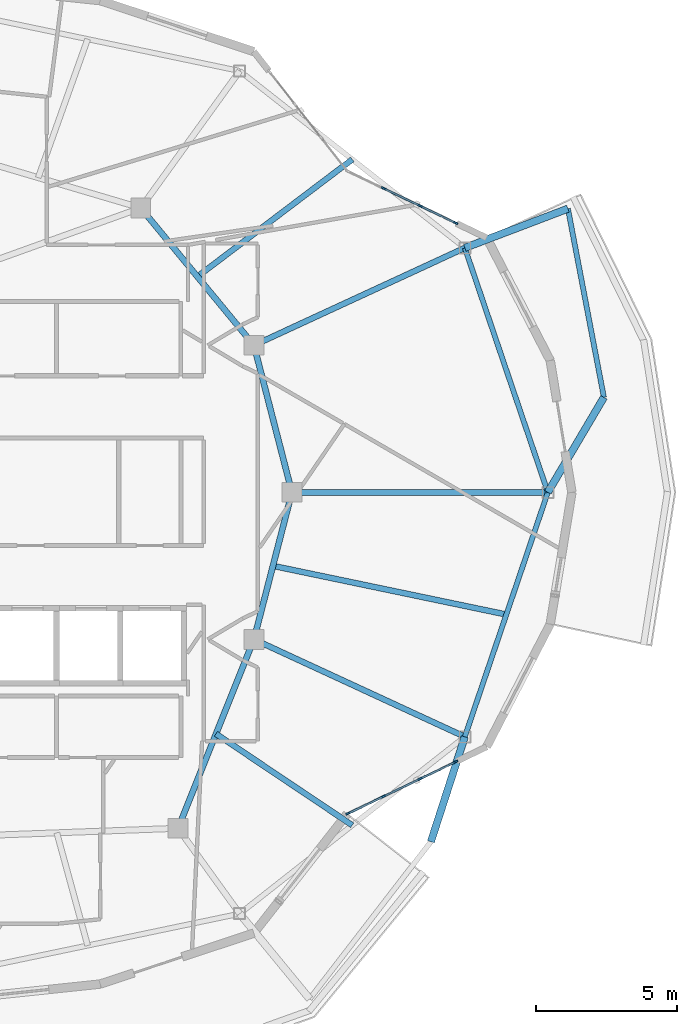
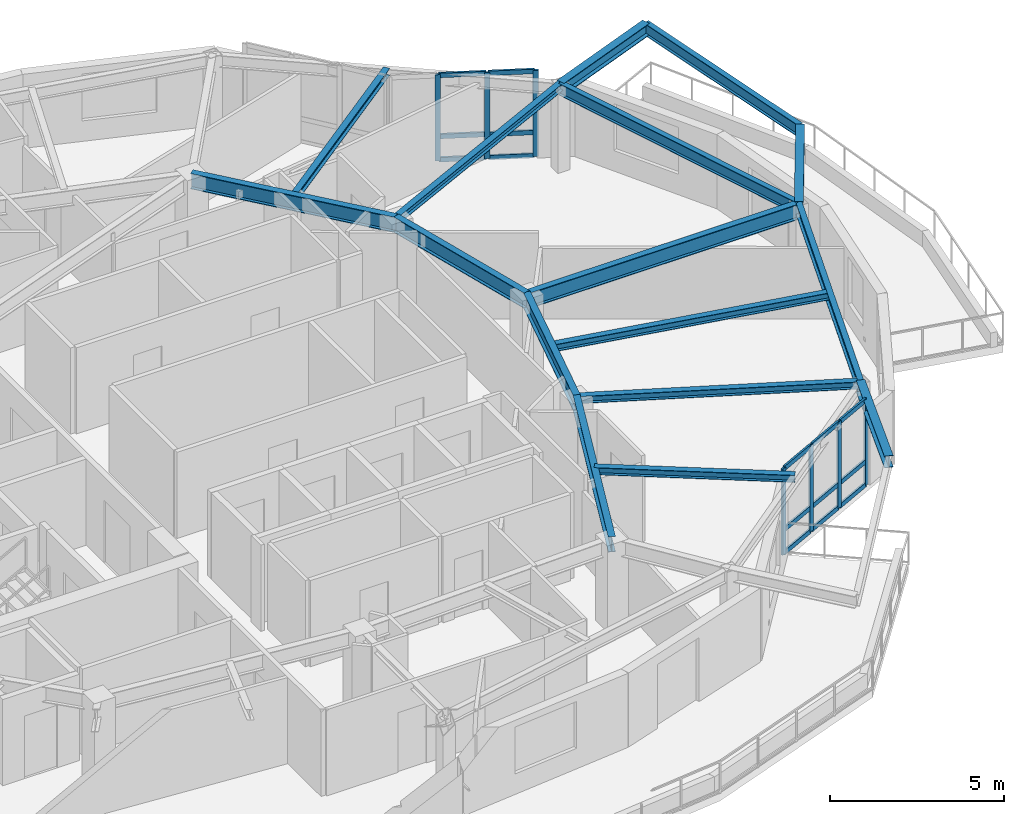
# One storey, part 3 of 14: 22 members, 16 beams, 2 elements without a shape of their own.
"""IFC4 building model written with IfcOpenShell, lengths in metres."""

from ifc_helpers import new_model, si_unit, direction, frame, origin, origin_2d, place, context, subcontext, project, spatial, rectangle, i_section, extrude, material, layer, layer_set, material_profile, profile_set, type_object, element, aggregate, save


model = new_model("IFC4")

# Units and contexts
model_context = context("Model", 3, precision=1e-05, world=origin(), true_north=direction((0.0, 1.0)))
body_context = subcontext(model_context, "Body", "Model", "MODEL_VIEW")
ifc_project = project(units=[si_unit("LENGTHUNIT", "METRE"), si_unit("AREAUNIT", "SQUARE_METRE"), si_unit("VOLUMEUNIT", "CUBIC_METRE"), si_unit("PLANEANGLEUNIT", "RADIAN"), si_unit("MASSUNIT", "GRAM", prefix="KILO")], contexts=[model_context])

# Site, building, storey
site_placement = place(None, origin())
site = spatial("IfcSite", under=ifc_project, at=site_placement, CompositionType="ELEMENT")
building_placement = place(site_placement, origin())
building = spatial("IfcBuilding", under=site, at=building_placement, Name="Kolvaren Gate Tower and Convention Centre", CompositionType="ELEMENT")
storey_placement = place(building_placement, frame((0.0, 0.0, 239.300048828125)))
storey = spatial("IfcBuildingStorey", under=building, at=storey_placement, Name="L64", CompositionType="ELEMENT", Elevation=239.300048828125)

# Curtain wall, members
ifc_material_1 = material(Name="Anodized Architectural Aluminium Alloy 6063-T6", Category="aluminium")
ifc_layer = layer(ifc_material_1, 0.159912109375)
ifc_layer_set = layer_set([ifc_layer], Name="Anodized Architectural Aluminium Alloy 6063-T6")
curtain_wall_type = type_object("IfcCurtainWallType", Name="CW-RES-UNIT", PredefinedType="NOTDEFINED", material=ifc_layer_set)
curtain_wall_1_placement = place(storey_placement, origin())
curtain_wall_1 = element("IfcCurtainWall", 1, at=curtain_wall_1_placement, inside=storey, type_object=curtain_wall_type, Name="Tower L64 Unitised Curtain Wall CW-RES-UNIT Bay 02", PredefinedType="NOTDEFINED")
ifc_material_profile_1 = material_profile(ifc_material_1, rectangle(XDim=0.06494140625, YDim=0.159912109375, at=origin_2d()), Name="CW-MEM-MUL-160")
ifc_profile_set_1 = profile_set([ifc_material_profile_1], Name="Anodized Architectural Aluminium Alloy 6063-T6")
member_type_1 = type_object("IfcMemberType", Name="CW-MEM-MUL-160", PredefinedType="MULLION", material=ifc_profile_set_1)
member_1_placement = place(storey_placement, frame((45.966796875, 37.750732421875, 0.0), z_axis=(0.0, 0.0, 1.0), x_axis=(0.4330855213, 0.901352833934, 0.0)))
member_1 = element("IfcMember", 2, at=member_1_placement, type_object=member_type_1, Name="CW-04 mullion 2", PredefinedType="MULLION", context=body_context, shape_type="SweptSolid", body=[
    extrude(rectangle(XDim=0.06494140625, YDim=0.159912109375, at=origin_2d()), origin(), (0.0, 0.0, 1.0), 3.030029296875),
])
member_2_placement = place(storey_placement, frame((47.25634765625, 37.131103515625, 0.0), z_axis=(0.0, 0.0, 1.0), x_axis=(0.4330855213, 0.901352833934, 0.0)))
member_2 = element("IfcMember", 3, at=member_2_placement, type_object=member_type_1, Name="CW-04 mullion 3", PredefinedType="MULLION", context=body_context, shape_type="SweptSolid", body=[
    extrude(rectangle(XDim=0.06494140625, YDim=0.159912109375, at=origin_2d()), origin(), (0.0, 0.0, 1.0), 3.030029296875),
])
member_3_placement = place(storey_placement, frame((48.5166015625, 36.525634765625, 0.0), z_axis=(0.0, 0.0, 1.0), x_axis=(0.4330855213, 0.901352833934, 0.0)))
member_3 = element("IfcMember", 4, at=member_3_placement, type_object=member_type_1, Name="CW-04 mullion 4", PredefinedType="MULLION", context=body_context, shape_type="SweptSolid", body=[
    extrude(rectangle(XDim=0.06494140625, YDim=0.159912109375, at=origin_2d()), origin(), (0.0, 0.0, 1.0), 3.030029296875),
])

curtain_wall_2_placement = place(storey_placement, origin())
curtain_wall_2 = element("IfcCurtainWall", 5, at=curtain_wall_2_placement, inside=storey, type_object=curtain_wall_type, Name="Tower L64 Unitised Curtain Wall CW-RES-UNIT Bay 21", PredefinedType="NOTDEFINED")
member_4_placement = place(storey_placement, frame((44.70654296875, 15.643798828125, 0.0), z_axis=(0.0, 0.0, 1.0), x_axis=(-0.4330855213, 0.901352833934, 0.0)))
member_4 = element("IfcMember", 6, at=member_4_placement, type_object=member_type_1, Name="CW-04 mullion 1", PredefinedType="MULLION", context=body_context, shape_type="SweptSolid", body=[
    extrude(rectangle(XDim=0.06494140625, YDim=0.159912109375, at=origin_2d()), origin(), (0.0, 0.0, 1.0), 3.030029296875),
])
member_5_placement = place(storey_placement, frame((45.966796875, 16.249267578125, 0.0), z_axis=(0.0, 0.0, 1.0), x_axis=(-0.4330855213, 0.901352833934, 0.0)))
member_5 = element("IfcMember", 7, at=member_5_placement, type_object=member_type_1, Name="CW-04 mullion 2", PredefinedType="MULLION", context=body_context, shape_type="SweptSolid", body=[
    extrude(rectangle(XDim=0.06494140625, YDim=0.159912109375, at=origin_2d()), origin(), (0.0, 0.0, 1.0), 3.030029296875),
])
member_6_placement = place(storey_placement, frame((47.25634765625, 16.868896484375, 0.0), z_axis=(0.0, 0.0, 1.0), x_axis=(-0.4330855213, 0.901352833934, 0.0)))
member_6 = element("IfcMember", 8, at=member_6_placement, type_object=member_type_1, Name="CW-04 mullion 3", PredefinedType="MULLION", context=body_context, shape_type="SweptSolid", body=[
    extrude(rectangle(XDim=0.06494140625, YDim=0.159912109375, at=origin_2d()), origin(), (0.0, 0.0, 1.0), 3.030029296875),
])
member_7_placement = place(storey_placement, frame((48.5166015625, 17.474365234375, 0.0), z_axis=(0.0, 0.0, 1.0), x_axis=(-0.4330855213, 0.901352833934, 0.0)))
member_7 = element("IfcMember", 9, at=member_7_placement, type_object=member_type_1, Name="CW-04 mullion 4", PredefinedType="MULLION", context=body_context, shape_type="SweptSolid", body=[
    extrude(rectangle(XDim=0.06494140625, YDim=0.159912109375, at=origin_2d()), origin(), (0.0, 0.0, 1.0), 3.030029296875),
])

# Member
ifc_material_profile_2 = material_profile(ifc_material_1, rectangle(XDim=0.06494140625, YDim=0.159912109375, at=origin_2d()), Name="CW-MEM-TRN-160")
ifc_profile_set_2 = profile_set([ifc_material_profile_2], Name="Anodized Architectural Aluminium Alloy 6063-T6")
member_type_2 = type_object("IfcMemberType", Name="CW-MEM-TRN-160", PredefinedType="USERDEFINED", material=ifc_profile_set_2)
member_8_placement = place(storey_placement, frame((45.99609375, 37.736572265625, 0.032470703125), z_axis=(0.901394688802, -0.43299840069, 0.0), x_axis=(0.43299840069, 0.901394688802, 0.0)))
member_8 = element("IfcMember", 10, at=member_8_placement, type_object=member_type_2, Name="CW-04 transom 2.1", ObjectType="TRANSOM", PredefinedType="USERDEFINED", context=body_context, shape_type="SweptSolid", body=[
    extrude(rectangle(XDim=0.06494140625, YDim=0.159912109375, at=origin_2d()), origin(), (0.0, 0.0, 1.0), 1.36572265625),
])

member_9_placement = place(storey_placement, frame((45.99609375, 37.736572265625, 0.849853515625), z_axis=(0.901394688802, -0.43299840069, 0.0), x_axis=(0.43299840069, 0.901394688802, 0.0)))
member_9 = element("IfcMember", 11, at=member_9_placement, type_object=member_type_2, Name="CW-04 transom 2.2", ObjectType="TRANSOM", PredefinedType="USERDEFINED", context=body_context, shape_type="SweptSolid", body=[
    extrude(rectangle(XDim=0.06494140625, YDim=0.159912109375, at=origin_2d()), origin(), (0.0, 0.0, 1.0), 1.36572265625),
])

member_10_placement = place(storey_placement, frame((45.99609375, 37.736572265625, 2.99755859375), z_axis=(0.901394688802, -0.43299840069, 0.0), x_axis=(0.43299840069, 0.901394688802, 0.0)))
member_10 = element("IfcMember", 12, at=member_10_placement, type_object=member_type_2, Name="CW-04 transom 2.3", ObjectType="TRANSOM", PredefinedType="USERDEFINED", context=body_context, shape_type="SweptSolid", body=[
    extrude(rectangle(XDim=0.06494140625, YDim=0.159912109375, at=origin_2d()), origin(), (0.0, 0.0, 1.0), 1.36572265625),
])

member_11_placement = place(storey_placement, frame((47.28564453125, 37.116943359375, 0.032470703125), z_axis=(0.901348668845, -0.433094189723, 0.0), x_axis=(0.433094189723, 0.901348668845, 0.0)))
member_11 = element("IfcMember", 13, at=member_11_placement, type_object=member_type_2, Name="CW-04 transom 3.1", ObjectType="TRANSOM", PredefinedType="USERDEFINED", context=body_context, shape_type="SweptSolid", body=[
    extrude(rectangle(XDim=0.06494140625, YDim=0.159912109375, at=origin_2d()), origin(), (0.0, 0.0, 1.0), 1.333251953125),
])

member_12_placement = place(storey_placement, frame((47.28564453125, 37.116943359375, 0.849853515625), z_axis=(0.901348668845, -0.433094189723, 0.0), x_axis=(0.433094189723, 0.901348668845, 0.0)))
member_12 = element("IfcMember", 14, at=member_12_placement, type_object=member_type_2, Name="CW-04 transom 3.2", ObjectType="TRANSOM", PredefinedType="USERDEFINED", context=body_context, shape_type="SweptSolid", body=[
    extrude(rectangle(XDim=0.06494140625, YDim=0.159912109375, at=origin_2d()), origin(), (0.0, 0.0, 1.0), 1.333251953125),
])

member_13_placement = place(storey_placement, frame((47.28564453125, 37.116943359375, 2.99755859375), z_axis=(0.901348668845, -0.433094189723, 0.0), x_axis=(0.433094189723, 0.901348668845, 0.0)))
member_13 = element("IfcMember", 15, at=member_13_placement, type_object=member_type_2, Name="CW-04 transom 3.3", ObjectType="TRANSOM", PredefinedType="USERDEFINED", context=body_context, shape_type="SweptSolid", body=[
    extrude(rectangle(XDim=0.06494140625, YDim=0.159912109375, at=origin_2d()), origin(), (0.0, 0.0, 1.0), 1.333251953125),
])

aggregate(curtain_wall_1, [member_1, member_2, member_3, member_8, member_9, member_10, member_11, member_12, member_13])

member_14_placement = place(storey_placement, frame((44.73583984375, 15.657958984375, 0.032470703125), z_axis=(0.901420149121, 0.432945394661, 0.0), x_axis=(-0.432945394661, 0.901420149121, 0.0)))
member_14 = element("IfcMember", 16, at=member_14_placement, type_object=member_type_2, Name="CW-04 transom 1.1", ObjectType="TRANSOM", PredefinedType="USERDEFINED", context=body_context, shape_type="SweptSolid", body=[
    extrude(rectangle(XDim=0.06494140625, YDim=0.159912109375, at=origin_2d()), origin(), (0.0, 0.0, 1.0), 1.3330078125),
])

member_15_placement = place(storey_placement, frame((44.73583984375, 15.657958984375, 0.849853515625), z_axis=(0.901420149121, 0.432945394661, 0.0), x_axis=(-0.432945394661, 0.901420149121, 0.0)))
member_15 = element("IfcMember", 17, at=member_15_placement, type_object=member_type_2, Name="CW-04 transom 1.2", ObjectType="TRANSOM", PredefinedType="USERDEFINED", context=body_context, shape_type="SweptSolid", body=[
    extrude(rectangle(XDim=0.06494140625, YDim=0.159912109375, at=origin_2d()), origin(), (0.0, 0.0, 1.0), 1.3330078125),
])

member_16_placement = place(storey_placement, frame((44.73583984375, 15.657958984375, 2.99755859375), z_axis=(0.901420149121, 0.432945394661, 0.0), x_axis=(-0.432945394661, 0.901420149121, 0.0)))
member_16 = element("IfcMember", 18, at=member_16_placement, type_object=member_type_2, Name="CW-04 transom 1.3", ObjectType="TRANSOM", PredefinedType="USERDEFINED", context=body_context, shape_type="SweptSolid", body=[
    extrude(rectangle(XDim=0.06494140625, YDim=0.159912109375, at=origin_2d()), origin(), (0.0, 0.0, 1.0), 1.3330078125),
])

member_17_placement = place(storey_placement, frame((45.99609375, 16.263427734375, 0.032470703125), z_axis=(0.901394688802, 0.43299840069, 0.0), x_axis=(-0.43299840069, 0.901394688802, 0.0)))
member_17 = element("IfcMember", 19, at=member_17_placement, type_object=member_type_2, Name="CW-04 transom 2.1", ObjectType="TRANSOM", PredefinedType="USERDEFINED", context=body_context, shape_type="SweptSolid", body=[
    extrude(rectangle(XDim=0.06494140625, YDim=0.159912109375, at=origin_2d()), origin(), (0.0, 0.0, 1.0), 1.36572265625),
])

member_18_placement = place(storey_placement, frame((45.99609375, 16.263427734375, 0.849853515625), z_axis=(0.901394688802, 0.43299840069, 0.0), x_axis=(-0.43299840069, 0.901394688802, 0.0)))
member_18 = element("IfcMember", 20, at=member_18_placement, type_object=member_type_2, Name="CW-04 transom 2.2", ObjectType="TRANSOM", PredefinedType="USERDEFINED", context=body_context, shape_type="SweptSolid", body=[
    extrude(rectangle(XDim=0.06494140625, YDim=0.159912109375, at=origin_2d()), origin(), (0.0, 0.0, 1.0), 1.36572265625),
])

member_19_placement = place(storey_placement, frame((45.99609375, 16.263427734375, 2.99755859375), z_axis=(0.901394688802, 0.43299840069, 0.0), x_axis=(-0.43299840069, 0.901394688802, 0.0)))
member_19 = element("IfcMember", 21, at=member_19_placement, type_object=member_type_2, Name="CW-04 transom 2.3", ObjectType="TRANSOM", PredefinedType="USERDEFINED", context=body_context, shape_type="SweptSolid", body=[
    extrude(rectangle(XDim=0.06494140625, YDim=0.159912109375, at=origin_2d()), origin(), (0.0, 0.0, 1.0), 1.36572265625),
])

member_20_placement = place(storey_placement, frame((47.28564453125, 16.883056640625, 0.032470703125), z_axis=(0.901348668845, 0.433094189723, 0.0), x_axis=(-0.433094189723, 0.901348668845, 0.0)))
member_20 = element("IfcMember", 22, at=member_20_placement, type_object=member_type_2, Name="CW-04 transom 3.1", ObjectType="TRANSOM", PredefinedType="USERDEFINED", context=body_context, shape_type="SweptSolid", body=[
    extrude(rectangle(XDim=0.06494140625, YDim=0.159912109375, at=origin_2d()), origin(), (0.0, 0.0, 1.0), 1.333251953125),
])

member_21_placement = place(storey_placement, frame((47.28564453125, 16.883056640625, 0.849853515625), z_axis=(0.901348668845, 0.433094189723, 0.0), x_axis=(-0.433094189723, 0.901348668845, 0.0)))
member_21 = element("IfcMember", 23, at=member_21_placement, type_object=member_type_2, Name="CW-04 transom 3.2", ObjectType="TRANSOM", PredefinedType="USERDEFINED", context=body_context, shape_type="SweptSolid", body=[
    extrude(rectangle(XDim=0.06494140625, YDim=0.159912109375, at=origin_2d()), origin(), (0.0, 0.0, 1.0), 1.333251953125),
])

member_22_placement = place(storey_placement, frame((47.28564453125, 16.883056640625, 2.99755859375), z_axis=(0.901348668845, 0.433094189723, 0.0), x_axis=(-0.433094189723, 0.901348668845, 0.0)))
member_22 = element("IfcMember", 24, at=member_22_placement, type_object=member_type_2, Name="CW-04 transom 3.3", ObjectType="TRANSOM", PredefinedType="USERDEFINED", context=body_context, shape_type="SweptSolid", body=[
    extrude(rectangle(XDim=0.06494140625, YDim=0.159912109375, at=origin_2d()), origin(), (0.0, 0.0, 1.0), 1.333251953125),
])

aggregate(curtain_wall_2, [member_4, member_5, member_6, member_7, member_14, member_15, member_16, member_17, member_18, member_19, member_20, member_21, member_22])

# Beams
ifc_material_2 = material(Name="Structural steel ASTM A992 Grade 345 MPa", Category="steel")
ifc_material_profile_3 = material_profile(ifc_material_2, i_section(OverallWidth=0.260009765625, OverallDepth=0.419921875, WebThickness=0.013427734375, FlangeThickness=0.0224609375, at=origin_2d()), Name="W410X132")
ifc_profile_set_3 = profile_set([ifc_material_profile_3], Name="Structural steel ASTM A992 Grade 345 MPa")
beam_type_1 = type_object("IfcBeamType", Name="STR-BM-W410X132", PredefinedType="BEAM", material=ifc_profile_set_3)
beam_1_placement = place(storey_placement, frame((51.77490234375, 27.0, 2.820556640625), z_axis=(0.508138645793, 0.861275285058, 0.0), x_axis=(-0.861275285058, 0.508138645793, 0.0)))
element("IfcBeam", 25, at=beam_1_placement, inside=storey, type_object=beam_type_1, Name="Tower L65 Planted Balcony Outrigger Cantilever BC-1A", PredefinedType="BEAM", context=body_context, shape_type="SweptSolid", body=[
    extrude(i_section(OverallWidth=0.260009765625, OverallDepth=0.419921875, WebThickness=0.013427734375, FlangeThickness=0.0224609375, at=origin_2d()), origin(), (0.0, 0.0, 1.0), 3.89990234375),
])
for number, where, z_axis, x_axis, name in (
    (26, (48.8388671875, 35.6435546875, 2.820556640625), (0.934583890573, 0.355742816485, 0.0), (-0.355742816485, 0.934583890573, 0.0), "Tower L65 Planted Balcony Outrigger Cantilever BC-1B"),
    (27, (48.8388671875, 18.3564453125, 2.820556640625), (-0.307670281141, -0.951493036287, 0.0), (0.951493036287, -0.307670281141, 0.0), "Tower L65 Planted Balcony Outrigger Cantilever BC-4B"),
):
    element("IfcBeam", number, at=place(storey_placement, frame(where, z_axis=z_axis, x_axis=x_axis)), inside=storey, type_object=beam_type_1, Name=name, PredefinedType="BEAM", context=body_context, shape_type="SweptSolid", body=[
        extrude(i_section(OverallWidth=0.260009765625, OverallDepth=0.419921875, WebThickness=0.013427734375, FlangeThickness=0.0224609375, at=origin_2d()), origin(), (0.0, 0.0, 1.0), 3.900146484375),
    ])
ifc_material_profile_4 = material_profile(ifc_material_2, i_section(OverallWidth=0.2119140625, OverallDepth=0.5439453125, WebThickness=0.01318359375, FlangeThickness=0.021240234375, at=origin_2d()), Name="W530X123")
ifc_profile_set_4 = profile_set([ifc_material_profile_4], Name="Structural steel ASTM A992 Grade 345 MPa")
beam_type_2 = type_object("IfcBeamType", Name="STR-BM-W530X123", PredefinedType="BEAM", material=ifc_profile_set_4)
beam_2_placement = place(storey_placement, frame((42.72509765625, 27.0, 2.758056640625), z_axis=(-0.250091133936, -0.968222301296, 0.0), x_axis=(0.968222301296, -0.250091133936, 0.0)))
element("IfcBeam", 28, at=beam_2_placement, inside=storey, type_object=beam_type_2, Name="Tower L64 Primary Ring Girder G-01", PredefinedType="BEAM", context=body_context, shape_type="SweptSolid", body=[
    extrude(i_section(OverallWidth=0.2119140625, OverallDepth=0.5439453125, WebThickness=0.01318359375, FlangeThickness=0.021240234375, at=origin_2d()), origin(), (0.0, 0.0, 1.0), 5.3701171875),
])
beam_3_placement = place(storey_placement, frame((41.382080078125, 32.199462890625, 2.758056640625), z_axis=(-0.635884066011, 0.771784590798, 0.0), x_axis=(-0.771784590798, -0.635884066011, 0.0)))
element("IfcBeam", 29, at=beam_3_placement, inside=storey, type_object=beam_type_2, Name="Tower L64 Primary Ring Girder G-02", PredefinedType="BEAM", context=body_context, shape_type="SweptSolid", body=[
    extrude(i_section(OverallWidth=0.2119140625, OverallDepth=0.5439453125, WebThickness=0.01318359375, FlangeThickness=0.021240234375, at=origin_2d()), origin(), (0.0, 0.0, 1.0), 6.291259765625),
])
beam_4_placement = place(storey_placement, frame((38.6982421875, 15.12060546875, 2.758056640625), z_axis=(0.372811100169, 0.927907260232, 0.0), x_axis=(-0.927907260232, 0.372811100169, 0.0)))
element("IfcBeam", 30, at=beam_4_placement, inside=storey, type_object=beam_type_2, Name="Tower L64 Primary Ring Girder G-09", PredefinedType="BEAM", context=body_context, shape_type="SweptSolid", body=[
    extrude(i_section(OverallWidth=0.2119140625, OverallDepth=0.5439453125, WebThickness=0.01318359375, FlangeThickness=0.021240234375, at=origin_2d()), origin(), (0.0, 0.0, 1.0), 7.198974609375),
])
beam_5_placement = place(storey_placement, frame((42.72509765625, 27.0, 2.758056640625), z_axis=(-0.250091133936, 0.968222301296, 0.0), x_axis=(-0.968222301296, -0.250091133936, 0.0)))
element("IfcBeam", 31, at=beam_5_placement, inside=storey, type_object=beam_type_2, Name="Tower L64 Primary Ring Girder G-12", PredefinedType="BEAM", context=body_context, shape_type="SweptSolid", body=[
    extrude(i_section(OverallWidth=0.2119140625, OverallDepth=0.5439453125, WebThickness=0.01318359375, FlangeThickness=0.021240234375, at=origin_2d()), origin(), (0.0, 0.0, 1.0), 5.3701171875),
])
beam_6_placement = place(storey_placement, frame((42.72509765625, 27.0, 2.758056640625), z_axis=(1.0, 0.0, 0.0), x_axis=(0.0, 1.0, 0.0)))
element("IfcBeam", 32, at=beam_6_placement, inside=storey, type_object=beam_type_2, Name="Tower L64 Radial Floor Girder RB-01", PredefinedType="BEAM", context=body_context, shape_type="SweptSolid", body=[
    extrude(i_section(OverallWidth=0.2119140625, OverallDepth=0.5439453125, WebThickness=0.01318359375, FlangeThickness=0.021240234375, at=origin_2d()), origin(), (0.0, 0.0, 1.0), 9.0498046875),
])
ifc_material_profile_5 = material_profile(ifc_material_2, i_section(OverallWidth=0.202880859375, OverallDepth=0.251953125, WebThickness=0.008056640625, FlangeThickness=0.013427734375, at=origin_2d()), Name="W250X58")
ifc_profile_set_5 = profile_set([ifc_material_profile_5], Name="Structural steel ASTM A992 Grade 345 MPa")
beam_type_3 = type_object("IfcBeamType", Name="STR-JS-W250X58", PredefinedType="JOIST", material=ifc_profile_set_5)
for number, where, z_axis, x_axis, name in (
    (33, (41.382080078125, 32.199462890625, 2.904052734375), (0.907843645886, 0.419308853502, 0.0), (-0.419308853502, 0.907843645886, 0.0), "Tower L64 Radial Floor Girder RB-02"),
    (34, (41.382080078125, 21.800537109375, 2.904052734375), (0.907843645886, -0.419308853502, 0.0), (0.419308853502, 0.907843645886, 0.0), "Tower L64 Radial Floor Girder RB-12"),
):
    element("IfcBeam", number, at=place(storey_placement, frame(where, z_axis=z_axis, x_axis=x_axis)), inside=storey, type_object=beam_type_3, Name=name, PredefinedType="JOIST", context=body_context, shape_type="SweptSolid", body=[
        extrude(i_section(OverallWidth=0.202880859375, OverallDepth=0.251953125, WebThickness=0.008056640625, FlangeThickness=0.013427734375, at=origin_2d()), origin(), (0.0, 0.0, 1.0), 8.213623046875),
    ])
beam_7_placement = place(storey_placement, frame((39.3818359375, 34.627197265625, 2.904052734375), z_axis=(0.797403149346, 0.603446946643, 0.0), x_axis=(-0.603446946643, 0.797403149346, 0.0)))
element("IfcBeam", 35, at=beam_7_placement, inside=storey, type_object=beam_type_3, Name="Tower L64 Secondary Composite Floor Joist J-02.1", PredefinedType="JOIST", context=body_context, shape_type="SweptSolid", body=[
    extrude(i_section(OverallWidth=0.202880859375, OverallDepth=0.251953125, WebThickness=0.008056640625, FlangeThickness=0.013427734375, at=origin_2d()), origin(), (0.0, 0.0, 1.0), 6.86767578125),
])
beam_8_placement = place(storey_placement, frame((40.040283203125, 18.46044921875, 2.904052734375), z_axis=(0.830454207472, -0.557086895638, 0.0), x_axis=(0.557086895638, 0.830454207472, 0.0)))
element("IfcBeam", 36, at=beam_8_placement, inside=storey, type_object=beam_type_3, Name="Tower L64 Secondary Composite Floor Joist J-11.1", PredefinedType="JOIST", context=body_context, shape_type="SweptSolid", body=[
    extrude(i_section(OverallWidth=0.202880859375, OverallDepth=0.251953125, WebThickness=0.008056640625, FlangeThickness=0.013427734375, at=origin_2d()), origin(), (0.0, 0.0, 1.0), 5.801513671875),
])
beam_9_placement = place(storey_placement, frame((42.0537109375, 24.400146484375, 2.904052734375), z_axis=(0.978920872293, -0.204239873163, 0.0), x_axis=(0.204239873163, 0.978920872293, 0.0)))
element("IfcBeam", 37, at=beam_9_placement, inside=storey, type_object=beam_type_3, Name="Tower L64 Secondary Composite Floor Joist J-12.1", PredefinedType="JOIST", context=body_context, shape_type="SweptSolid", body=[
    extrude(i_section(OverallWidth=0.202880859375, OverallDepth=0.251953125, WebThickness=0.008056640625, FlangeThickness=0.013427734375, at=origin_2d()), origin(), (0.0, 0.0, 1.0), 8.430908203125),
])
ifc_material_profile_6 = material_profile(ifc_material_2, i_section(OverallWidth=0.180908203125, OverallDepth=0.4169921875, WebThickness=0.010986328125, FlangeThickness=0.018310546875, at=origin_2d()), Name="W410X85")
ifc_profile_set_6 = profile_set([ifc_material_profile_6], Name="Structural steel ASTM A992 Grade 345 MPa")
beam_type_4 = type_object("IfcBeamType", Name="STR-SP-W410X85", PredefinedType="SPANDREL", material=ifc_profile_set_6)
for number, where, z_axis, x_axis, name in (
    (38, (51.77490234375, 27.0, 2.821533203125), (-0.32163038352, 0.946865300028, 0.0), (-0.946865300028, -0.32163038352, 0.0), "Tower L64 Perimeter Spandrel Beam SP-01"),
    (39, (48.8388671875, 18.3564453125, 2.821533203125), (0.32163038352, 0.946865300028, 0.0), (-0.946865300028, 0.32163038352, 0.0), "Tower L64 Perimeter Spandrel Beam SP-12"),
):
    element("IfcBeam", number, at=place(storey_placement, frame(where, z_axis=z_axis, x_axis=x_axis)), inside=storey, type_object=beam_type_4, Name=name, PredefinedType="SPANDREL", context=body_context, shape_type="SweptSolid", body=[
        extrude(i_section(OverallWidth=0.180908203125, OverallDepth=0.4169921875, WebThickness=0.010986328125, FlangeThickness=0.018310546875, at=origin_2d()), origin(), (0.0, 0.0, 1.0), 9.128662109375),
    ])
beam_10_placement = place(storey_placement, frame((53.756591796875, 30.35888671875, 2.822021484375), z_axis=(-0.187371410824, 0.982289139921, 0.0), x_axis=(-0.982289139921, -0.187371410824, 0.0)))
element("IfcBeam", 40, at=beam_10_placement, inside=storey, type_object=beam_type_4, Name="Tower L65 Planted Balcony Header Tie Beam BT-1", PredefinedType="SPANDREL", context=body_context, shape_type="SweptSolid", body=[
    extrude(i_section(OverallWidth=0.180908203125, OverallDepth=0.4169921875, WebThickness=0.010986328125, FlangeThickness=0.018310546875, at=origin_2d()), origin(), (0.0, 0.0, 1.0), 6.79248046875),
])

save(model, "model.ifc")
